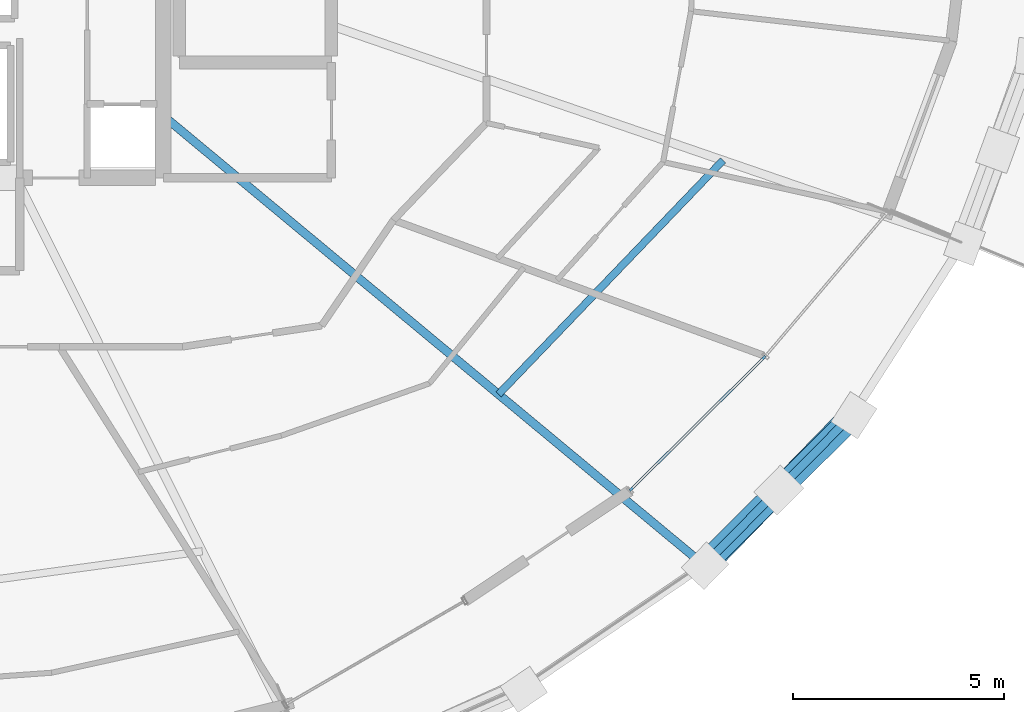
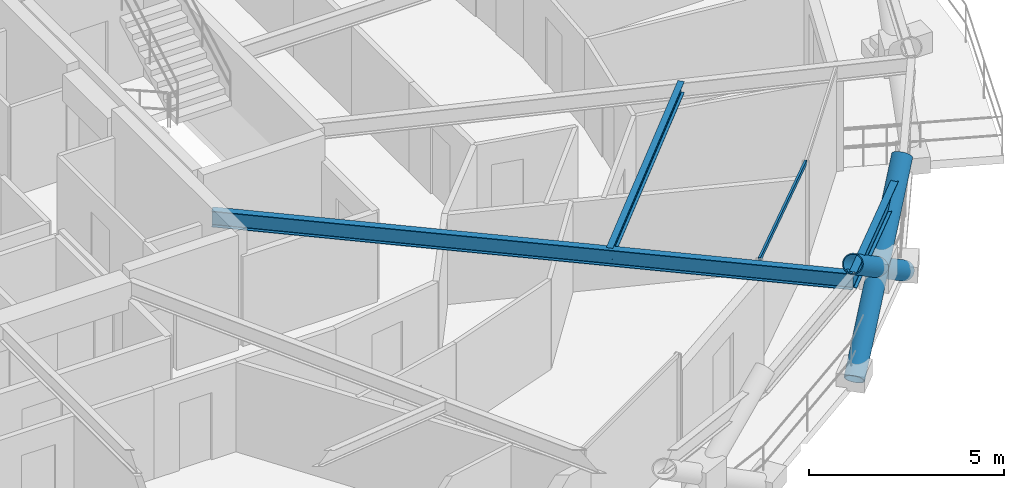
# One storey, part 5 of 14: 4 members, 3 beams, 1 element without a shape of its own.
"""IFC4 building model written with IfcOpenShell, lengths in metres."""

from ifc_helpers import new_model, si_unit, direction, frame, origin, origin_2d, place, context, subcontext, project, spatial, hollow_rectangle, hollow_circle, i_section, extrude, material, layer, layer_set, material_profile, profile_set, type_object, element, aggregate, save


model = new_model("IFC4")

# Units and contexts
model_context = context("Model", 3, precision=1e-05, world=origin(), true_north=direction((0.0, 1.0)))
body_context = subcontext(model_context, "Body", "Model", "MODEL_VIEW")
ifc_project = project(units=[si_unit("LENGTHUNIT", "METRE"), si_unit("AREAUNIT", "SQUARE_METRE"), si_unit("VOLUMEUNIT", "CUBIC_METRE"), si_unit("PLANEANGLEUNIT", "RADIAN"), si_unit("MASSUNIT", "GRAM", prefix="KILO")], contexts=[model_context])

# Site, building, storey
site_placement = place(None, origin())
site = spatial("IfcSite", under=ifc_project, at=site_placement, CompositionType="ELEMENT")
building_placement = place(site_placement, origin())
building = spatial("IfcBuilding", under=site, at=building_placement, Name="Veldorina Hangang Commons", CompositionType="ELEMENT")
storey_placement = place(building_placement, frame((0.0, 0.0, 149.60009765625)))
storey = spatial("IfcBuildingStorey", under=building, at=storey_placement, Name="L38", CompositionType="ELEMENT", Elevation=149.60009765625)

# Beams
ifc_material_1 = material(Name="Steel SM420-TMC", Category="steel")
ifc_material_profile_1 = material_profile(ifc_material_1, i_section(OverallWidth=0.199951171875, OverallDepth=0.5, WebThickness=0.010009765625, FlangeThickness=0.01611328125, FilletRadius=0.01611328125, at=origin_2d()), Name="H-500x200x10x16")
ifc_profile_set_1 = profile_set([ifc_material_profile_1], Name="Steel SM420-TMC")
beam_type_1 = type_object("IfcBeamType", Name="BM-FG500", PredefinedType="BEAM", material=ifc_profile_set_1)
beam_1_placement = place(storey_placement, frame((39.199951171875, 18.018310546875, 3.099853515625), z_axis=(0.769170295329, -0.639043861393, 0.0), x_axis=(0.639043861393, 0.769170295329, 0.0)))
element("IfcBeam", 1, at=beam_1_placement, inside=storey, type_object=beam_type_1, Name="L38 radial floor girder 15", PredefinedType="BEAM", context=body_context, shape_type="SweptSolid", body=[
    extrude(i_section(OverallWidth=0.199951171875, OverallDepth=0.5, WebThickness=0.010009765625, FlangeThickness=0.01611328125, FilletRadius=0.01611328125, at=origin_2d()), origin(), (0.0, 0.0, 1.0), 16.6435546875),
])
ifc_material_2 = material(Name="Steel SM355-TMC", Category="steel")
ifc_material_profile_2 = material_profile(ifc_material_2, i_section(OverallWidth=0.175048828125, OverallDepth=0.35009765625, WebThickness=0.007080078125, FlangeThickness=0.010986328125, FilletRadius=0.012939453125, at=origin_2d()), Name="H-350x175x7x11")
ifc_profile_set_2 = profile_set([ifc_material_profile_2], Name="Steel SM355-TMC")
beam_type_2 = type_object("IfcBeamType", Name="BM-JST350", PredefinedType="JOIST", material=ifc_profile_set_2)
beam_2_placement = place(storey_placement, frame((47.13720703125, 11.424072265625, 3.1748046875), z_axis=(0.692372239826, 0.721540491947, 0.0), x_axis=(-0.721540491947, 0.692372239826, 0.0)))
element("IfcBeam", 2, at=beam_2_placement, inside=storey, type_object=beam_type_2, Name="L38 secondary floor joist 15", PredefinedType="JOIST", context=body_context, shape_type="SweptSolid", body=[
    extrude(i_section(OverallWidth=0.175048828125, OverallDepth=0.35009765625, WebThickness=0.007080078125, FlangeThickness=0.010986328125, FilletRadius=0.012939453125, at=origin_2d()), origin(), (0.0, 0.0, 1.0), 7.67529296875),
])
ifc_material_profile_3 = material_profile(ifc_material_1, i_section(OverallWidth=0.199951171875, OverallDepth=0.5, WebThickness=0.010009765625, FlangeThickness=0.01611328125, FilletRadius=0.01611328125, at=origin_2d()), Name="H-500x200x10x16")
ifc_profile_set_3 = profile_set([ifc_material_profile_3], Name="Steel SM420-TMC")
beam_type_3 = type_object("IfcBeamType", Name="BM-RB500", PredefinedType="BEAM", material=ifc_profile_set_3)
beam_3_placement = place(storey_placement, frame((52.001708984375, 7.38232421875, 3.099853515625), z_axis=(0.702777452467, 0.711409763993, 0.0), x_axis=(-0.711409763993, 0.702777452467, 0.0)))
element("IfcBeam", 3, at=beam_3_placement, inside=storey, type_object=beam_type_3, Name="L38 perimeter hoop ring beam 28", PredefinedType="BEAM", context=body_context, shape_type="SweptSolid", body=[
    extrude(i_section(OverallWidth=0.199951171875, OverallDepth=0.5, WebThickness=0.010009765625, FlangeThickness=0.01611328125, FilletRadius=0.01611328125, at=origin_2d()), origin(), (0.0, 0.0, 1.0), 5.005859375),
])

# Curtain wall, member
ifc_material_3 = material(Name="Glass Low-E Triple IGU", Category="glass")
ifc_layer = layer(ifc_material_3, 0.179931640625)
ifc_layer_set = layer_set([ifc_layer], Name="Glass Low-E Triple IGU")
curtain_wall_type = type_object("IfcCurtainWallType", Name="CW-SYS-Z2", PredefinedType="NOTDEFINED", material=ifc_layer_set)
curtain_wall_placement = place(storey_placement, origin())
curtain_wall = element("IfcCurtainWall", 4, at=curtain_wall_placement, inside=storey, type_object=curtain_wall_type, Name="L38 unitised curtain wall CW-L38-R2", PredefinedType="NOTDEFINED")
ifc_material_4 = material(Name="Aluminium Anodized AA6063-T6", Category="aluminium")
ifc_material_profile_4 = material_profile(ifc_material_4, hollow_rectangle(XDim=0.06005859375, YDim=0.139892578125, WallThickness=0.00341796875, at=origin_2d()), Name="ALU-RHS-140x60x3.5")
ifc_profile_set_4 = profile_set([ifc_material_profile_4], Name="Aluminium Anodized AA6063-T6")
member_type_1 = type_object("IfcMemberType", Name="CW-TRN-140", PredefinedType="USERDEFINED", material=ifc_profile_set_4)
member_1_placement = place(storey_placement, frame((50.24755859375, 9.14501953125, 3.27001953125), z_axis=(0.70993652172, 0.704265670843, 0.0), x_axis=(-0.704265670843, 0.70993652172, 0.0)))
member_1 = element("IfcMember", 5, at=member_1_placement, type_object=member_type_1, Name="CW-L38-R2 facet 1 transom 1", ObjectType="TRANSOM", PredefinedType="USERDEFINED", context=body_context, shape_type="SweptSolid", body=[
    extrude(hollow_rectangle(XDim=0.06005859375, YDim=0.139892578125, WallThickness=0.00341796875, at=origin_2d()), origin(), (0.0, 0.0, 1.0), 4.5205078125),
])
aggregate(curtain_wall, [member_1])

# Members
ifc_material_profile_5 = material_profile(ifc_material_1, hollow_circle(Radius=0.27490234375, WallThickness=0.028076171875, at=origin_2d()), Name="CHS-550x28")
ifc_profile_set_5 = profile_set([ifc_material_profile_5], Name="Steel SM420-TMC")
member_type_2 = type_object("IfcMemberType", Name="DG-CHS550", PredefinedType="BRACE", material=ifc_profile_set_5)
member_2_placement = place(storey_placement, frame((52.029296875, 7.36328125, 0.0), z_axis=(0.565797633173, 0.58165185757, 0.58442634684), x_axis=(-0.716808404306, 0.697270185449, 0.0)))
element("IfcMember", 6, at=member_2_placement, inside=storey, type_object=member_type_2, Name="L38 continuous perimeter diagrid brace 28", PredefinedType="BRACE", context=body_context, shape_type="SweptSolid", body=[
    extrude(hollow_circle(Radius=0.27490234375, WallThickness=0.028076171875, at=origin_2d()), origin(), (0.0, 0.0, 1.0), 6.15966796875),
])
member_3_placement = place(storey_placement, frame((55.552001953125, 10.928466796875, 0.0), z_axis=(-0.575598404646, -0.573544388928, 0.582866460263), x_axis=(0.70584174766, -0.708369555572, 0.0)))
element("IfcMember", 7, at=member_3_placement, inside=storey, type_object=member_type_2, Name="L38 split perimeter diagrid lower brace 29", PredefinedType="BRACE", context=body_context, shape_type="SweptSolid", body=[
    extrude(hollow_circle(Radius=0.27490234375, WallThickness=0.028076171875, at=origin_2d()), origin(), (0.0, 0.0, 1.0), 3.09033203125),
])
member_4_placement = place(storey_placement, frame((53.773193359375, 9.156005859375, 1.80126953125), z_axis=(-0.57546447422, -0.573723998769, 0.582821938628), x_axis=(0.706035040062, -0.70817690036, 0.0)))
element("IfcMember", 8, at=member_4_placement, inside=storey, type_object=member_type_2, Name="L38 split perimeter diagrid upper brace 29", PredefinedType="BRACE", context=body_context, shape_type="SweptSolid", body=[
    extrude(hollow_circle(Radius=0.27490234375, WallThickness=0.028076171875, at=origin_2d()), origin(), (0.0, 0.0, 1.0), 3.0859375),
])

save(model, "model.ifc")
